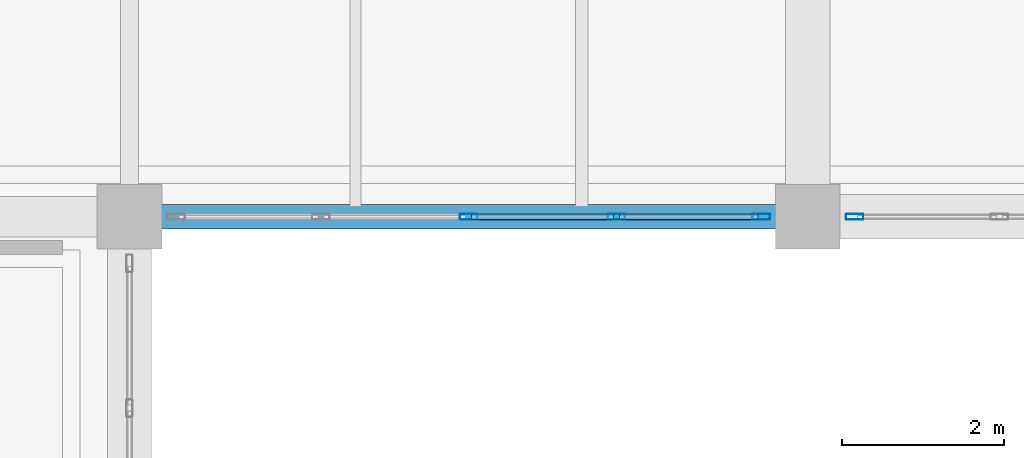
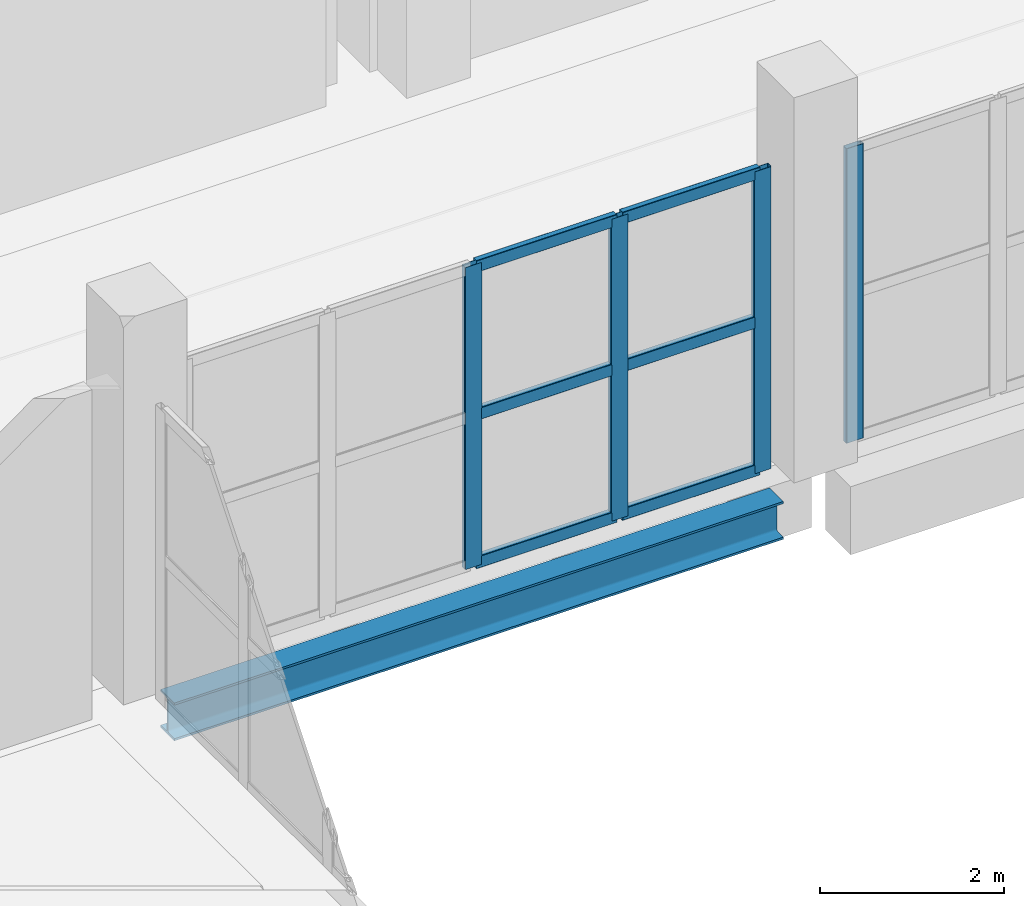
# One storey, part 43 of 73: 10 members, 1 beam, 2 elements without a shape of their own.
"""IFC4 building model written with IfcOpenShell, lengths in metres."""

from ifc_helpers import new_model, si_unit, direction, frame, origin, origin_2d, place, context, subcontext, project, spatial, hollow_rectangle, i_section, extrude, material, layer, layer_set, material_profile, profile_set, type_object, element, aggregate, save


model = new_model("IFC4")

# Units and contexts
model_context = context("Model", 3, precision=1e-05, world=origin(), true_north=direction((0.0, 1.0)))
body_context = subcontext(model_context, "Body", "Model", "MODEL_VIEW")
ifc_project = project(units=[si_unit("LENGTHUNIT", "METRE"), si_unit("AREAUNIT", "SQUARE_METRE"), si_unit("VOLUMEUNIT", "CUBIC_METRE"), si_unit("PLANEANGLEUNIT", "RADIAN"), si_unit("MASSUNIT", "GRAM", prefix="KILO")], contexts=[model_context])

# Site, building, storey
site_placement = place(None, origin())
site = spatial("IfcSite", under=ifc_project, at=site_placement, CompositionType="ELEMENT")
building_placement = place(site_placement, origin())
building = spatial("IfcBuilding", under=site, at=building_placement, Name="Zulmaris Art Gallery", CompositionType="ELEMENT")
storey_placement = place(building_placement, frame((0.0, 0.0, 10.5)))
storey = spatial("IfcBuildingStorey", under=building, at=storey_placement, Name="L02", CompositionType="ELEMENT", Elevation=10.5)

# Beam
ifc_material_1 = material(Name="Steel S355J2", Category="steel")
ifc_material_profile_1 = material_profile(ifc_material_1, i_section(OverallWidth=0.300048828125, OverallDepth=0.5, WebThickness=0.014404296875, FlangeThickness=0.028076171875, FilletRadius=0.027099609375, at=origin_2d()), Name="HEB 500")
ifc_profile_set_1 = profile_set([ifc_material_profile_1], Name="Steel S355J2")
beam_type = type_object("IfcBeamType", Name="BEAM-BM14", PredefinedType="BEAM", material=ifc_profile_set_1)
beam_placement = place(storey_placement, frame((158.784912109375, 58.800048828125, -0.64990234375), z_axis=(1.0, 0.0, 0.0), x_axis=(0.0, 1.0, 0.0)))
element("IfcBeam", 1, at=beam_placement, inside=storey, type_object=beam_type, Name="L02 X-girder (158.4..166.8, y=58.8)", PredefinedType="BEAM", context=body_context, shape_type="SweptSolid", body=[
    extrude(i_section(OverallWidth=0.300048828125, OverallDepth=0.5, WebThickness=0.014404296875, FlangeThickness=0.028076171875, FilletRadius=0.027099609375, at=origin_2d()), origin(), (0.0, 0.0, 1.0), 7.630126953125),
])

# Curtain wall, members
ifc_material_2 = material(Name="Courtyard Artists Studio Curtain Wall", Category="aluminium")
ifc_layer = layer(ifc_material_2, 0.179931640625)
ifc_layer_set = layer_set([ifc_layer], Name="Courtyard Artists Studio Curtain Wall")
curtain_wall_type = type_object("IfcCurtainWallType", Name="CW-CW04", PredefinedType="NOTDEFINED", material=ifc_layer_set)
curtain_wall_1_placement = place(storey_placement, origin())
curtain_wall_1 = element("IfcCurtainWall", 2, at=curtain_wall_1_placement, inside=storey, type_object=curtain_wall_type, Name="L02 curtain wall 141", PredefinedType="NOTDEFINED")
ifc_material_3 = material(Name="Anodised Bronze Aluminium", Category="aluminium")
ifc_material_profile_2 = material_profile(ifc_material_3, hollow_rectangle(XDim=0.074951171875, YDim=0.219970703125, WallThickness=0.0048828125, InnerFilletRadius=0.007568359375, OuterFilletRadius=0.012451171875, at=origin_2d()), Name="ALU 75x220x5")
ifc_profile_set_2 = profile_set([ifc_material_profile_2], Name="Anodised Bronze Aluminium")
member_type_1 = type_object("IfcMemberType", Name="CWMUL-02", PredefinedType="MULLION", material=ifc_profile_set_2)
member_1_placement = place(storey_placement, frame((166.222412109375, 58.800048828125, 0.0), z_axis=(0.0, 0.0, 1.0), x_axis=(0.0, -1.0, 0.0)))
member_1 = element("IfcMember", 3, at=member_1_placement, type_object=member_type_1, Name="CW04 mullion 1", PredefinedType="MULLION", context=body_context, shape_type="SweptSolid", body=[
    extrude(hollow_rectangle(XDim=0.074951171875, YDim=0.219970703125, WallThickness=0.0048828125, InnerFilletRadius=0.007568359375, OuterFilletRadius=0.012451171875, at=origin_2d()), origin(), (0.0, 0.0, 1.0), 4.0),
])
member_2_placement = place(storey_placement, frame((164.429931640625, 58.800048828125, 0.0), z_axis=(0.0, 0.0, 1.0), x_axis=(0.0, -1.0, 0.0)))
member_2 = element("IfcMember", 4, at=member_2_placement, type_object=member_type_1, Name="CW04 mullion 2", PredefinedType="MULLION", context=body_context, shape_type="SweptSolid", body=[
    extrude(hollow_rectangle(XDim=0.074951171875, YDim=0.219970703125, WallThickness=0.0048828125, InnerFilletRadius=0.007568359375, OuterFilletRadius=0.012451171875, at=origin_2d()), origin(), (0.0, 0.0, 1.0), 4.0),
])
member_3_placement = place(storey_placement, frame((162.60009765625, 58.800048828125, 0.0), z_axis=(0.0, 0.0, 1.0), x_axis=(0.0, -1.0, 0.0)))
member_3 = element("IfcMember", 5, at=member_3_placement, type_object=member_type_1, Name="CW04 mullion 3", PredefinedType="MULLION", context=body_context, shape_type="SweptSolid", body=[
    extrude(hollow_rectangle(XDim=0.074951171875, YDim=0.219970703125, WallThickness=0.0048828125, InnerFilletRadius=0.007568359375, OuterFilletRadius=0.012451171875, at=origin_2d()), origin(), (0.0, 0.0, 1.0), 4.0),
])

# Curtain wall, member
curtain_wall_2_placement = place(storey_placement, origin())
curtain_wall_2 = element("IfcCurtainWall", 6, at=curtain_wall_2_placement, inside=storey, type_object=curtain_wall_type, Name="L02 curtain wall 143", PredefinedType="NOTDEFINED")
member_4_placement = place(storey_placement, frame((167.37744140625, 58.800048828125, 0.0), z_axis=(0.0, 0.0, 1.0), x_axis=(0.0, -1.0, 0.0)))
member_4 = element("IfcMember", 7, at=member_4_placement, type_object=member_type_1, Name="CW04 mullion 5", PredefinedType="MULLION", context=body_context, shape_type="SweptSolid", body=[
    extrude(hollow_rectangle(XDim=0.074951171875, YDim=0.219970703125, WallThickness=0.0048828125, InnerFilletRadius=0.007568359375, OuterFilletRadius=0.012451171875, at=origin_2d()), origin(), (0.0, 0.0, 1.0), 3.89990234375),
])
aggregate(curtain_wall_2, [member_4])

# Member
ifc_material_profile_3 = material_profile(ifc_material_3, hollow_rectangle(XDim=0.074951171875, YDim=0.159912109375, WallThickness=0.00390625, InnerFilletRadius=0.006103515625, OuterFilletRadius=0.010009765625, at=origin_2d()), Name="ALU 75x160x4")
ifc_profile_set_3 = profile_set([ifc_material_profile_3], Name="Anodised Bronze Aluminium")
member_type_2 = type_object("IfcMemberType", Name="CWTRN-02", PredefinedType="USERDEFINED", material=ifc_profile_set_3)
member_5_placement = place(storey_placement, frame((166.18505859375, 58.800048828125, 0.03759765625), z_axis=(-1.0, 0.0, 0.0), x_axis=(0.0, -1.0, 0.0)))
member_5 = element("IfcMember", 8, at=member_5_placement, type_object=member_type_2, Name="CW04 transom 1.1", ObjectType="TRANSOM", PredefinedType="USERDEFINED", context=body_context, shape_type="SweptSolid", body=[
    extrude(hollow_rectangle(XDim=0.074951171875, YDim=0.159912109375, WallThickness=0.00390625, InnerFilletRadius=0.006103515625, OuterFilletRadius=0.010009765625, at=origin_2d()), origin(), (0.0, 0.0, 1.0), 1.717529296875),
])

member_6_placement = place(storey_placement, frame((166.18505859375, 58.800048828125, 2.0), z_axis=(-1.0, 0.0, 0.0), x_axis=(0.0, -1.0, 0.0)))
member_6 = element("IfcMember", 9, at=member_6_placement, type_object=member_type_2, Name="CW04 transom 1.2", ObjectType="TRANSOM", PredefinedType="USERDEFINED", context=body_context, shape_type="SweptSolid", body=[
    extrude(hollow_rectangle(XDim=0.074951171875, YDim=0.159912109375, WallThickness=0.00390625, InnerFilletRadius=0.006103515625, OuterFilletRadius=0.010009765625, at=origin_2d()), origin(), (0.0, 0.0, 1.0), 1.717529296875),
])

member_7_placement = place(storey_placement, frame((166.18505859375, 58.800048828125, 3.96240234375), z_axis=(-1.0, 0.0, 0.0), x_axis=(0.0, -1.0, 0.0)))
member_7 = element("IfcMember", 10, at=member_7_placement, type_object=member_type_2, Name="CW04 transom 1.3", ObjectType="TRANSOM", PredefinedType="USERDEFINED", context=body_context, shape_type="SweptSolid", body=[
    extrude(hollow_rectangle(XDim=0.074951171875, YDim=0.159912109375, WallThickness=0.00390625, InnerFilletRadius=0.006103515625, OuterFilletRadius=0.010009765625, at=origin_2d()), origin(), (0.0, 0.0, 1.0), 1.717529296875),
])

member_8_placement = place(storey_placement, frame((164.392578125, 58.800048828125, 0.03759765625), z_axis=(-1.0, 0.0, 0.0), x_axis=(0.0, -1.0, 0.0)))
member_8 = element("IfcMember", 11, at=member_8_placement, type_object=member_type_2, Name="CW04 transom 2.1", ObjectType="TRANSOM", PredefinedType="USERDEFINED", context=body_context, shape_type="SweptSolid", body=[
    extrude(hollow_rectangle(XDim=0.074951171875, YDim=0.159912109375, WallThickness=0.00390625, InnerFilletRadius=0.006103515625, OuterFilletRadius=0.010009765625, at=origin_2d()), origin(), (0.0, 0.0, 1.0), 1.755126953125),
])

member_9_placement = place(storey_placement, frame((164.392578125, 58.800048828125, 2.0), z_axis=(-1.0, 0.0, 0.0), x_axis=(0.0, -1.0, 0.0)))
member_9 = element("IfcMember", 12, at=member_9_placement, type_object=member_type_2, Name="CW04 transom 2.2", ObjectType="TRANSOM", PredefinedType="USERDEFINED", context=body_context, shape_type="SweptSolid", body=[
    extrude(hollow_rectangle(XDim=0.074951171875, YDim=0.159912109375, WallThickness=0.00390625, InnerFilletRadius=0.006103515625, OuterFilletRadius=0.010009765625, at=origin_2d()), origin(), (0.0, 0.0, 1.0), 1.755126953125),
])

member_10_placement = place(storey_placement, frame((164.392578125, 58.800048828125, 3.96240234375), z_axis=(-1.0, 0.0, 0.0), x_axis=(0.0, -1.0, 0.0)))
member_10 = element("IfcMember", 13, at=member_10_placement, type_object=member_type_2, Name="CW04 transom 2.3", ObjectType="TRANSOM", PredefinedType="USERDEFINED", context=body_context, shape_type="SweptSolid", body=[
    extrude(hollow_rectangle(XDim=0.074951171875, YDim=0.159912109375, WallThickness=0.00390625, InnerFilletRadius=0.006103515625, OuterFilletRadius=0.010009765625, at=origin_2d()), origin(), (0.0, 0.0, 1.0), 1.755126953125),
])

aggregate(curtain_wall_1, [member_1, member_2, member_3, member_5, member_6, member_7, member_8, member_9, member_10])

save(model, "model.ifc")
